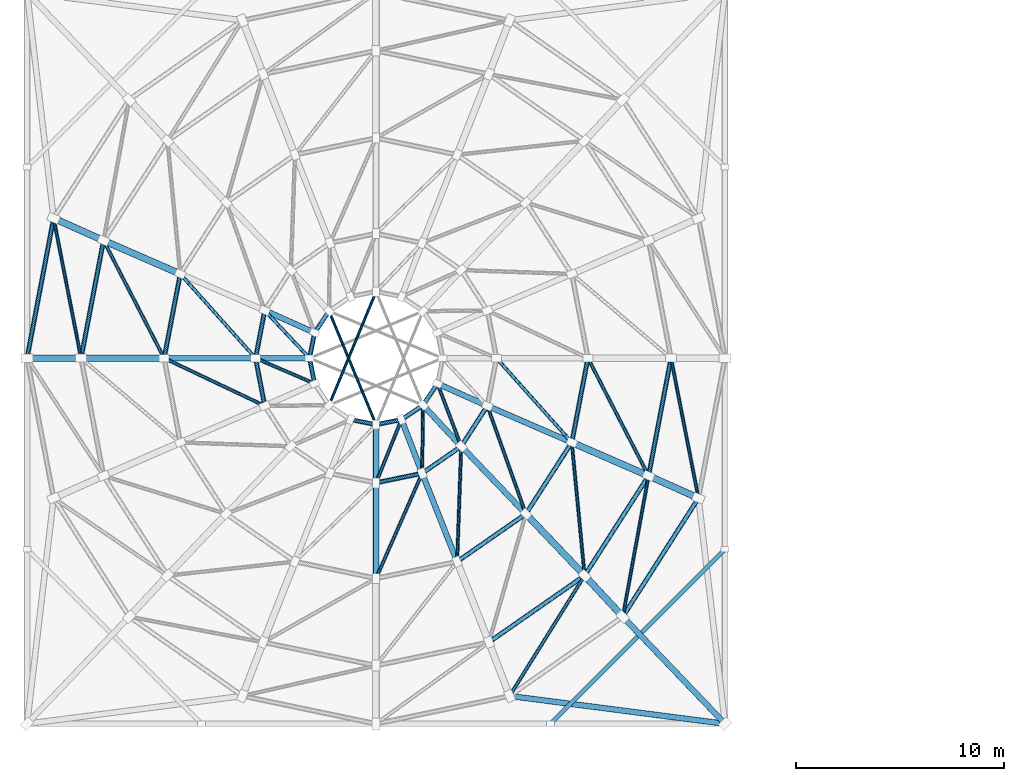
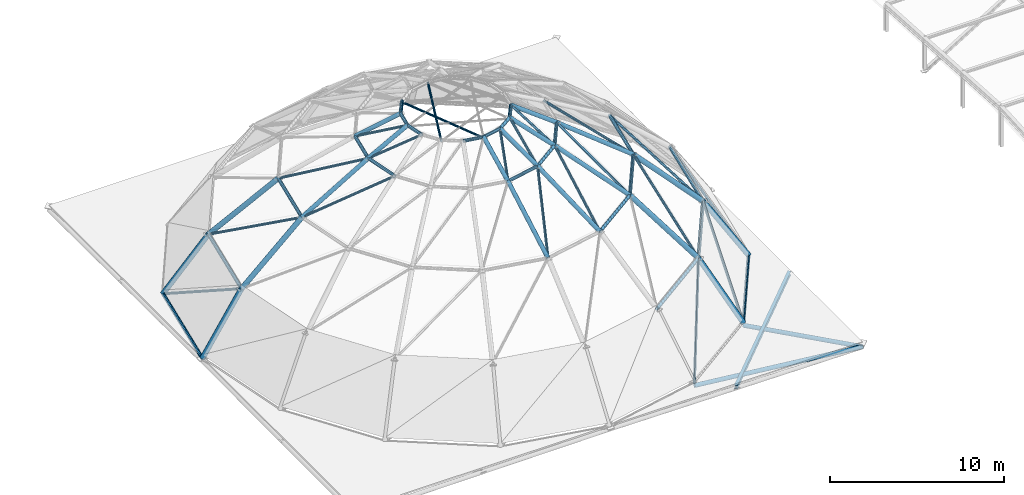
# One storey, part 3 of 49: 45 members, 19 beams.
"""IFC4 building model written with IfcOpenShell, lengths in metres."""

from ifc_helpers import new_model, si_unit, direction, frame, origin, origin_2d, place, context, subcontext, project, spatial, hollow_circle, i_section, extrude, material, material_profile, profile_set, type_object, element, save


model = new_model("IFC4")

# Units and contexts
model_context = context("Model", 3, precision=1e-05, world=origin(), true_north=direction((0.0, 1.0)))
body_context = subcontext(model_context, "Body", "Model", "MODEL_VIEW")
ifc_project = project(units=[si_unit("LENGTHUNIT", "METRE"), si_unit("AREAUNIT", "SQUARE_METRE"), si_unit("VOLUMEUNIT", "CUBIC_METRE"), si_unit("PLANEANGLEUNIT", "RADIAN"), si_unit("MASSUNIT", "GRAM", prefix="KILO")], contexts=[model_context])

# Site, building, storey
site_placement = place(None, origin())
site = spatial("IfcSite", under=ifc_project, at=site_placement, CompositionType="ELEMENT")
building_placement = place(site_placement, origin())
building = spatial("IfcBuilding", under=site, at=building_placement, Name="Kemercrest Conservatory and Botanical Centre", CompositionType="ELEMENT")
storey_placement = place(building_placement, frame((0.0, 0.0, 13.199951171875)))
storey = spatial("IfcBuildingStorey", under=building, at=storey_placement, Name="L03", CompositionType="ELEMENT", Elevation=13.199951171875)

# Member
ifc_material = material(Name="Steel CSA G40.21 350W", Category="steel")
ifc_material_profile_1 = material_profile(ifc_material, i_section(OverallWidth=0.202880859375, OverallDepth=0.251953125, WebThickness=0.008056640625, FlangeThickness=0.013427734375, FilletRadius=0.010986328125, at=origin_2d()), Name="W250X58")
ifc_profile_set_1 = profile_set([ifc_material_profile_1], Name="Steel CSA G40.21 350W")
member_type_1 = type_object("IfcMemberType", Name="BR-LAT250", PredefinedType="BRACE", material=ifc_profile_set_1)
member_1_placement = place(storey_placement, frame((33.199951171875, 16.800048828125, -0.14990234375), z_axis=(0.707117056885, 0.707096505339, 0.0), x_axis=(-0.707096505339, 0.707117056885, 0.0)))
element("IfcMember", 1, at=member_1_placement, inside=storey, type_object=member_type_1, Name="Roof diaphragm corner wind brace BR-LAT250", PredefinedType="BRACE", context=body_context, shape_type="SweptSolid", body=[
    extrude(i_section(OverallWidth=0.202880859375, OverallDepth=0.251953125, WebThickness=0.008056640625, FlangeThickness=0.013427734375, FilletRadius=0.010986328125, at=origin_2d()), origin(), (0.0, 0.0, 1.0), 11.87939453125),
])

# Beams
ifc_material_profile_2 = material_profile(ifc_material, hollow_circle(Radius=0.136474609375, WallThickness=0.0126953125, at=origin_2d()), Name="CHS 273.1x12.7")
ifc_profile_set_2 = profile_set([ifc_material_profile_2], Name="Steel CSA G40.21 350W")
beam_type_1 = type_object("IfcBeamType", Name="GR-RIB273", PredefinedType="BEAM", material=ifc_profile_set_2)
beam_1_placement = place(storey_placement, frame((14.60009765625, 34.39990234375, 7.60009765625), z_axis=(0.860934136409, 0.0, 0.508716436501), x_axis=(0.0, 1.0, 0.0)))
element("IfcBeam", 2, at=beam_1_placement, inside=storey, type_object=beam_type_1, Name="Conservatory dome arch rib R2-08", PredefinedType="BEAM", context=body_context, shape_type="SweptSolid", body=[
    extrude(hollow_circle(Radius=0.136474609375, WallThickness=0.0126953125, at=origin_2d()), origin(), (0.0, 0.0, 1.0), 5.110595703125),
])
beam_2_placement = place(storey_placement, frame((24.800048828125, 23.800048828125, 7.60009765625), z_axis=(0.0, 0.870568002098, 0.492048121349), x_axis=(-1.0, 0.0, 0.0)))
element("IfcBeam", 3, at=beam_2_placement, inside=storey, type_object=beam_type_1, Name="Conservatory dome arch rib R2-12", PredefinedType="BEAM", context=body_context, shape_type="SweptSolid", body=[
    extrude(hollow_circle(Radius=0.136474609375, WallThickness=0.0126953125, at=origin_2d()), origin(), (0.0, 0.0, 1.0), 5.28369140625),
])
beam_3_placement = place(storey_placement, frame((28.703369140625, 24.60693359375, 7.60009765625), z_axis=(-0.32019434461, 0.808122800729, 0.494381553683), x_axis=(-0.929683571061, -0.368359142277, 0.0)))
element("IfcBeam", 4, at=beam_3_placement, inside=storey, type_object=beam_type_1, Name="Conservatory dome arch rib R2-13", PredefinedType="BEAM", context=body_context, shape_type="SweptSolid", body=[
    extrude(hollow_circle(Radius=0.136474609375, WallThickness=0.0126953125, at=origin_2d()), origin(), (0.0, 0.0, 1.0), 5.2587890625),
])
beam_4_placement = place(storey_placement, frame((32.012451171875, 26.90478515625, 7.60009765625), z_axis=(-0.598558557553, 0.625752955295, 0.500160866242), x_axis=(-0.722634789358, -0.691230034945, 0.0)))
element("IfcBeam", 5, at=beam_4_placement, inside=storey, type_object=beam_type_1, Name="Conservatory dome arch rib R2-14", PredefinedType="BEAM", context=body_context, shape_type="SweptSolid", body=[
    extrude(hollow_circle(Radius=0.136474609375, WallThickness=0.0126953125, at=origin_2d()), origin(), (0.0, 0.0, 1.0), 5.197998046875),
])
beam_5_placement = place(storey_placement, frame((34.2236328125, 30.343505859375, 7.60009765625), z_axis=(-0.791420648814, 0.342738231854, 0.506146086675), x_axis=(-0.397401729937, -0.917644737926, 0.0)))
element("IfcBeam", 6, at=beam_5_placement, inside=storey, type_object=beam_type_1, Name="Conservatory dome arch rib R2-15", PredefinedType="BEAM", context=body_context, shape_type="SweptSolid", body=[
    extrude(hollow_circle(Radius=0.136474609375, WallThickness=0.0126953125, at=origin_2d()), origin(), (0.0, 0.0, 1.0), 5.136474609375),
])
beam_6_placement = place(storey_placement, frame((19.44140625, 36.696044921875, 10.199951171875), z_axis=(0.806151944247, -0.35960980621, 0.469893424155), x_axis=(0.407386850353, 0.913255689366, 0.0)))
element("IfcBeam", 7, at=beam_6_placement, inside=storey, type_object=beam_type_1, Name="Conservatory dome arch rib R3-07", PredefinedType="BEAM", context=body_context, shape_type="SweptSolid", body=[
    extrude(hollow_circle(Radius=0.136474609375, WallThickness=0.0126953125, at=origin_2d()), origin(), (0.0, 0.0, 1.0), 2.979736328125),
])
beam_7_placement = place(storey_placement, frame((19.0, 34.39990234375, 10.199951171875), z_axis=(0.880457826534, 0.0, 0.474124472786), x_axis=(0.0, 1.0, 0.0)))
element("IfcBeam", 8, at=beam_7_placement, inside=storey, type_object=beam_type_1, Name="Conservatory dome arch rib R3-08", PredefinedType="BEAM", context=body_context, shape_type="SweptSolid", body=[
    extrude(hollow_circle(Radius=0.136474609375, WallThickness=0.0126953125, at=origin_2d()), origin(), (0.0, 0.0, 1.0), 2.953125),
])
beam_8_placement = place(storey_placement, frame((24.800048828125, 28.39990234375, 10.199951171875), z_axis=(0.0, 0.894411593428, 0.447244789285), x_axis=(-1.0, 0.0, 0.0)))
element("IfcBeam", 9, at=beam_8_placement, inside=storey, type_object=beam_type_1, Name="Conservatory dome arch rib R3-12", PredefinedType="BEAM", context=body_context, shape_type="SweptSolid", body=[
    extrude(hollow_circle(Radius=0.136474609375, WallThickness=0.0126953125, at=origin_2d()), origin(), (0.0, 0.0, 1.0), 3.130615234375),
])
beam_9_placement = place(storey_placement, frame((27.01953125, 28.856689453125, 10.199951171875), z_axis=(-0.320388699377, 0.833089241374, 0.450902868939), x_axis=(-0.933356956997, -0.358949565852, 0.0)))
element("IfcBeam", 10, at=beam_9_placement, inside=storey, type_object=beam_type_1, Name="Conservatory dome arch rib R3-13", PredefinedType="BEAM", context=body_context, shape_type="SweptSolid", body=[
    extrude(hollow_circle(Radius=0.136474609375, WallThickness=0.0126953125, at=origin_2d()), origin(), (0.0, 0.0, 1.0), 3.105224609375),
])
beam_10_placement = place(storey_placement, frame((28.901123046875, 30.157470703125, 10.199951171875), z_axis=(-0.604148264762, 0.650602693089, 0.460131513733), x_axis=(-0.732783835929, -0.680461497663, 0.0)))
element("IfcBeam", 11, at=beam_10_placement, inside=storey, type_object=beam_type_1, Name="Conservatory dome arch rib R3-14", PredefinedType="BEAM", context=body_context, shape_type="SweptSolid", body=[
    extrude(hollow_circle(Radius=0.136474609375, WallThickness=0.0126953125, at=origin_2d()), origin(), (0.0, 0.0, 1.0), 3.04296875),
])
beam_11_placement = place(storey_placement, frame((30.158447265625, 32.10400390625, 10.199951171875), z_axis=(-0.806175695367, 0.359538464404, 0.469907268313), x_axis=(-0.40730943077, -0.913290220908, 0.0)))
element("IfcBeam", 12, at=beam_11_placement, inside=storey, type_object=beam_type_1, Name="Conservatory dome arch rib R3-15", PredefinedType="BEAM", context=body_context, shape_type="SweptSolid", body=[
    extrude(hollow_circle(Radius=0.136474609375, WallThickness=0.0126953125, at=origin_2d()), origin(), (0.0, 0.0, 1.0), 2.979736328125),
])
ifc_material_profile_3 = material_profile(ifc_material, hollow_circle(Radius=0.161865234375, WallThickness=0.0126953125, at=origin_2d()), Name="CHS 323.9x12.7")
ifc_profile_set_3 = profile_set([ifc_material_profile_3], Name="Steel CSA G40.21 350W")
beam_type_2 = type_object("IfcBeamType", Name="GR-RIB324", PredefinedType="BEAM", material=ifc_profile_set_3)
beam_12_placement = place(storey_placement, frame((9.27880859375, 41.13525390625, 0.02001953125), z_axis=(0.503522747608, -0.22461239346, 0.834274604279), x_axis=(0.407386850353, 0.913255689366, 0.0)))
element("IfcBeam", 13, at=beam_12_placement, inside=storey, type_object=beam_type_2, Name="Conservatory dome arch rib R0-07", PredefinedType="BEAM", context=body_context, shape_type="SweptSolid", body=[
    extrude(hollow_circle(Radius=0.161865234375, WallThickness=0.0126953125, at=origin_2d()), origin(), (0.0, 0.0, 1.0), 4.7705078125),
])
beam_13_placement = place(storey_placement, frame((8.0, 34.39990234375, 0.02001953125), z_axis=(0.546925549136, 0.0, 0.837181249015), x_axis=(0.0, 1.0, 0.0)))
element("IfcBeam", 14, at=beam_13_placement, inside=storey, type_object=beam_type_2, Name="Conservatory dome arch rib R0-08", PredefinedType="BEAM", context=body_context, shape_type="SweptSolid", body=[
    extrude(hollow_circle(Radius=0.161865234375, WallThickness=0.0126953125, at=origin_2d()), origin(), (0.0, 0.0, 1.0), 4.75390625),
])
beam_14_placement = place(storey_placement, frame((36.679443359375, 21.954833984375, 0.02001953125), z_axis=(-0.382208800215, 0.411593861339, 0.827349337551), x_axis=(-0.732780618974, -0.68046496196, 0.0)))
element("IfcBeam", 15, at=beam_14_placement, inside=storey, type_object=beam_type_2, Name="Conservatory dome arch rib R0-14", PredefinedType="BEAM", context=body_context, shape_type="SweptSolid", body=[
    extrude(hollow_circle(Radius=0.161865234375, WallThickness=0.0126953125, at=origin_2d()), origin(), (0.0, 0.0, 1.0), 4.810546875),
])
beam_15_placement = place(storey_placement, frame((40.3212890625, 27.664794921875, 0.02001953125), z_axis=(-0.503522747608, 0.22461239346, 0.834274604279), x_axis=(-0.407386850353, -0.913255689366, 0.0)))
element("IfcBeam", 16, at=beam_15_placement, inside=storey, type_object=beam_type_2, Name="Conservatory dome arch rib R0-15", PredefinedType="BEAM", context=body_context, shape_type="SweptSolid", body=[
    extrude(hollow_circle(Radius=0.161865234375, WallThickness=0.0126953125, at=origin_2d()), origin(), (0.0, 0.0, 1.0), 4.7705078125),
])
beam_16_placement = place(storey_placement, frame((11.680908203125, 40.063720703125, 4.0), z_axis=(0.683874151301, -0.297458374325, 0.666209171902), x_axis=(0.398863448921, 0.917010332065, 0.0)))
element("IfcBeam", 17, at=beam_16_placement, inside=storey, type_object=beam_type_2, Name="Conservatory dome arch rib R1-07", PredefinedType="BEAM", context=body_context, shape_type="SweptSolid", body=[
    extrude(hollow_circle(Radius=0.161865234375, WallThickness=0.0126953125, at=origin_2d()), origin(), (0.0, 0.0, 1.0), 5.40380859375),
])
beam_17_placement = place(storey_placement, frame((10.60009765625, 34.39990234375, 4.0), z_axis=(0.743285123004, 0.0, 0.668974757313), x_axis=(0.0, 1.0, 0.0)))
element("IfcBeam", 18, at=beam_17_placement, inside=storey, type_object=beam_type_2, Name="Conservatory dome arch rib R1-08", PredefinedType="BEAM", context=body_context, shape_type="SweptSolid", body=[
    extrude(hollow_circle(Radius=0.161865234375, WallThickness=0.0126953125, at=origin_2d()), origin(), (0.0, 0.0, 1.0), 5.381591796875),
])
beam_18_placement = place(storey_placement, frame((34.8408203125, 23.934814453125, 4.0), z_axis=(-0.518281509086, 0.544229137508, 0.659696083986), x_axis=(-0.724159165442, -0.689632875598, 0.0)))
element("IfcBeam", 19, at=beam_18_placement, inside=storey, type_object=beam_type_2, Name="Conservatory dome arch rib R1-14", PredefinedType="BEAM", context=body_context, shape_type="SweptSolid", body=[
    extrude(hollow_circle(Radius=0.161865234375, WallThickness=0.0126953125, at=origin_2d()), origin(), (0.0, 0.0, 1.0), 5.457275390625),
])
beam_19_placement = place(storey_placement, frame((37.919189453125, 28.736328125, 4.0), z_axis=(-0.68388334128, 0.297417192023, 0.666218124497), x_axis=(-0.398812504267, -0.917032489305, 0.0)))
element("IfcBeam", 20, at=beam_19_placement, inside=storey, type_object=beam_type_2, Name="Conservatory dome arch rib R1-15", PredefinedType="BEAM", context=body_context, shape_type="SweptSolid", body=[
    extrude(hollow_circle(Radius=0.161865234375, WallThickness=0.0126953125, at=origin_2d()), origin(), (0.0, 0.0, 1.0), 5.40380859375),
])

# Members
ifc_material_profile_4 = material_profile(ifc_material, hollow_circle(Radius=0.084228515625, WallThickness=0.009521484375, at=origin_2d()), Name="CHS 168.3x9.5")
ifc_profile_set_4 = profile_set([ifc_material_profile_4], Name="Steel CSA G40.21 350W")
member_type_2 = type_object("IfcMemberType", Name="MB-DIAG168", PredefinedType="BRACE", material=ifc_profile_set_4)
member_2_placement = place(storey_placement, frame((9.27880859375, 41.13525390625, 0.02001953125), z_axis=(0.166531536388, -0.848904661101, 0.501625481559), x_axis=(0.981296362489, 0.192503114172, 0.0)))
element("IfcMember", 21, at=member_2_placement, inside=storey, type_object=member_type_2, Name="Conservatory dome diagrid brace R0-07", PredefinedType="BRACE", context=body_context, shape_type="SweptSolid", body=[
    extrude(hollow_circle(Radius=0.084228515625, WallThickness=0.009521484375, at=origin_2d()), origin(), (0.0, 0.0, 1.0), 7.93408203125),
])
member_3_placement = place(storey_placement, frame((31.22900390625, 18.1396484375, 0.02001953125), z_axis=(0.45697449261, 0.733216407401, 0.503555372349), x_axis=(-0.848666489077, 0.528928341383, 0.0)))
element("IfcMember", 22, at=member_3_placement, inside=storey, type_object=member_type_2, Name="Conservatory dome diagrid brace R0-13", PredefinedType="BRACE", context=body_context, shape_type="SweptSolid", body=[
    extrude(hollow_circle(Radius=0.084228515625, WallThickness=0.009521484375, at=origin_2d()), origin(), (0.0, 0.0, 1.0), 7.90380859375),
])
member_4_placement = place(storey_placement, frame((36.679443359375, 21.954833984375, 0.02001953125), z_axis=(0.155741739549, 0.851917743097, 0.499980669185), x_axis=(-0.983697199823, 0.179832753022, 0.0)))
element("IfcMember", 23, at=member_4_placement, inside=storey, type_object=member_type_2, Name="Conservatory dome diagrid brace R0-14", PredefinedType="BRACE", context=body_context, shape_type="SweptSolid", body=[
    extrude(hollow_circle(Radius=0.084228515625, WallThickness=0.009521484375, at=origin_2d()), origin(), (0.0, 0.0, 1.0), 7.960205078125),
])
member_5_placement = place(storey_placement, frame((40.3212890625, 27.664794921875, 0.02001953125), z_axis=(-0.166535886528, 0.848896064608, 0.501638585031), x_axis=(-0.981295044298, -0.192509833608, 0.0)))
element("IfcMember", 24, at=member_5_placement, inside=storey, type_object=member_type_2, Name="Conservatory dome diagrid brace R0-15", PredefinedType="BRACE", context=body_context, shape_type="SweptSolid", body=[
    extrude(hollow_circle(Radius=0.084228515625, WallThickness=0.009521484375, at=origin_2d()), origin(), (0.0, 0.0, 1.0), 7.93408203125),
])
member_6_placement = place(storey_placement, frame((11.680908203125, 40.063720703125, 4.0), z_axis=(0.398875257104, -0.773898727904, 0.491913903258), x_axis=(0.888880945755, 0.458138258907, 0.0)))
element("IfcMember", 25, at=member_6_placement, inside=storey, type_object=member_type_2, Name="Conservatory dome diagrid brace R1-07", PredefinedType="BRACE", context=body_context, shape_type="SweptSolid", body=[
    extrude(hollow_circle(Radius=0.084228515625, WallThickness=0.009521484375, at=origin_2d()), origin(), (0.0, 0.0, 1.0), 7.318603515625),
])
member_7_placement = place(storey_placement, frame((34.8408203125, 23.934814453125, 4.0), z_axis=(-0.083669271834, 0.868796829761, 0.488048687682), x_axis=(-0.995394705992, -0.095861250162, 0.0)))
element("IfcMember", 26, at=member_7_placement, inside=storey, type_object=member_type_2, Name="Conservatory dome diagrid brace R1-14", PredefinedType="BRACE", context=body_context, shape_type="SweptSolid", body=[
    extrude(hollow_circle(Radius=0.084228515625, WallThickness=0.009521484375, at=origin_2d()), origin(), (0.0, 0.0, 1.0), 7.37646484375),
])
member_8_placement = place(storey_placement, frame((37.919189453125, 28.736328125, 4.0), z_axis=(-0.398885554883, 0.773885347676, 0.491926603019), x_axis=(-0.888872903281, -0.458153862597, 0.0)))
element("IfcMember", 27, at=member_8_placement, inside=storey, type_object=member_type_2, Name="Conservatory dome diagrid brace R1-15", PredefinedType="BRACE", context=body_context, shape_type="SweptSolid", body=[
    extrude(hollow_circle(Radius=0.084228515625, WallThickness=0.009521484375, at=origin_2d()), origin(), (0.0, 0.0, 1.0), 7.318359375),
])
member_9_placement = place(storey_placement, frame((15.37646484375, 38.456298828125, 7.60009765625), z_axis=(0.601060959946, -0.672862676829, 0.431255771625), x_axis=(0.745777561199, 0.666195038418, 0.0)))
element("IfcMember", 28, at=member_9_placement, inside=storey, type_object=member_type_2, Name="Conservatory dome diagrid brace R2-07", PredefinedType="BRACE", context=body_context, shape_type="SweptSolid", body=[
    extrude(hollow_circle(Radius=0.084228515625, WallThickness=0.009521484375, at=origin_2d()), origin(), (0.0, 0.0, 1.0), 6.028564453125),
])
member_10_placement = place(storey_placement, frame((14.60009765625, 34.39990234375, 7.60009765625), z_axis=(0.812906123408, -0.385505253885, 0.436542476459), x_axis=(0.428489786156, 0.903546624785, 0.0)))
element("IfcMember", 29, at=member_10_placement, inside=storey, type_object=member_type_2, Name="Conservatory dome diagrid brace R2-08", PredefinedType="BRACE", context=body_context, shape_type="SweptSolid", body=[
    extrude(hollow_circle(Radius=0.084228515625, WallThickness=0.009521484375, at=origin_2d()), origin(), (0.0, 0.0, 1.0), 5.95556640625),
])
member_11_placement = place(storey_placement, frame((24.800048828125, 23.800048828125, 7.60009765625), z_axis=(0.363629985477, 0.828457183941, 0.425948269205), x_axis=(-0.915677763285, 0.401913216784, 0.0)))
element("IfcMember", 30, at=member_11_placement, inside=storey, type_object=member_type_2, Name="Conservatory dome diagrid brace R2-12", PredefinedType="BRACE", context=body_context, shape_type="SweptSolid", body=[
    extrude(hollow_circle(Radius=0.084228515625, WallThickness=0.009521484375, at=origin_2d()), origin(), (0.0, 0.0, 1.0), 6.103759765625),
])
member_12_placement = place(storey_placement, frame((28.703369140625, 24.60693359375, 7.60009765625), z_axis=(0.032247187264, 0.90511086721, 0.423950984162), x_axis=(-0.999365930428, 0.03560529596, 0.0)))
element("IfcMember", 31, at=member_12_placement, inside=storey, type_object=member_type_2, Name="Conservatory dome diagrid brace R2-13", PredefinedType="BRACE", context=body_context, shape_type="SweptSolid", body=[
    extrude(hollow_circle(Radius=0.084228515625, WallThickness=0.009521484375, at=origin_2d()), origin(), (0.0, 0.0, 1.0), 6.13232421875),
])
member_13_placement = place(storey_placement, frame((32.012451171875, 26.90478515625, 7.60009765625), z_axis=(-0.303859766733, 0.852119777765, 0.42609990202), x_axis=(-0.941905907987, -0.335876853177, 0.0)))
element("IfcMember", 32, at=member_13_placement, inside=storey, type_object=member_type_2, Name="Conservatory dome diagrid brace R2-14", PredefinedType="BRACE", context=body_context, shape_type="SweptSolid", body=[
    extrude(hollow_circle(Radius=0.084228515625, WallThickness=0.009521484375, at=origin_2d()), origin(), (0.0, 0.0, 1.0), 6.1015625),
])
member_14_placement = place(storey_placement, frame((34.2236328125, 30.343505859375, 7.60009765625), z_axis=(-0.601060959946, 0.672862676829, 0.431255771625), x_axis=(-0.745777561199, -0.666195038418, 0.0)))
element("IfcMember", 33, at=member_14_placement, inside=storey, type_object=member_type_2, Name="Conservatory dome diagrid brace R2-15", PredefinedType="BRACE", context=body_context, shape_type="SweptSolid", body=[
    extrude(hollow_circle(Radius=0.084228515625, WallThickness=0.009521484375, at=origin_2d()), origin(), (0.0, 0.0, 1.0), 6.028564453125),
])
member_15_placement = place(storey_placement, frame((19.44140625, 36.696044921875, 10.199951171875), z_axis=(0.625967258635, -0.665824707923, 0.406007942577), x_axis=(0.728577409609, 0.68496347217, 0.0)))
element("IfcMember", 34, at=member_15_placement, inside=storey, type_object=member_type_2, Name="Conservatory dome diagrid brace R3-07", PredefinedType="BRACE", context=body_context, shape_type="SweptSolid", body=[
    extrude(hollow_circle(Radius=0.084228515625, WallThickness=0.009521484375, at=origin_2d()), origin(), (0.0, 0.0, 1.0), 3.448486328125),
])
member_16_placement = place(storey_placement, frame((19.0, 34.39990234375, 10.199951171875), z_axis=(0.836846494232, -0.360403710403, 0.412064449594), x_axis=(0.39554612401, 0.918446113705, 0.0)))
element("IfcMember", 35, at=member_16_placement, inside=storey, type_object=member_type_2, Name="Conservatory dome diagrid brace R3-08", PredefinedType="BRACE", context=body_context, shape_type="SweptSolid", body=[
    extrude(hollow_circle(Radius=0.084228515625, WallThickness=0.009521484375, at=origin_2d()), origin(), (0.0, 0.0, 1.0), 3.39794921875),
])
for number, where, z_axis, x_axis, name in (
    (36, (24.800048828125, 28.39990234375, 10.199951171875), (0.343306811044, 0.8532707363, 0.39251685832), (-0.927725524313, 0.373263113015, 0.0), "Conservatory dome diagrid brace R3-12"),
    (37, (27.01953125, 28.856689453125, 10.199951171875), (0.012114353447, 0.919664221881, 0.392518740231), (-0.999913252815, 0.013171440481, 0.0), "Conservatory dome diagrid brace R3-13"),
):
    element("IfcMember", number, at=place(storey_placement, frame(where, z_axis=z_axis, x_axis=x_axis)), inside=storey, type_object=member_type_2, Name=name, PredefinedType="BRACE", context=body_context, shape_type="SweptSolid", body=[
        extrude(hollow_circle(Radius=0.084228515625, WallThickness=0.009521484375, at=origin_2d()), origin(), (0.0, 0.0, 1.0), 3.567138671875),
    ])
member_17_placement = place(storey_placement, frame((28.901123046875, 30.157470703125, 10.199951171875), z_axis=(-0.32538087782, 0.85775923027, 0.397965309085), x_axis=(-0.934988876949, -0.354677036163, 0.0)))
element("IfcMember", 38, at=member_17_placement, inside=storey, type_object=member_type_2, Name="Conservatory dome diagrid brace R3-14", PredefinedType="BRACE", context=body_context, shape_type="SweptSolid", body=[
    extrude(hollow_circle(Radius=0.084228515625, WallThickness=0.009521484375, at=origin_2d()), origin(), (0.0, 0.0, 1.0), 3.518310546875),
])
ifc_material_profile_5 = material_profile(ifc_material, hollow_circle(Radius=0.06982421875, WallThickness=0.008056640625, at=origin_2d()), Name="CHS 139.7x8.0")
ifc_profile_set_5 = profile_set([ifc_material_profile_5], Name="Steel CSA G40.21 350W")
member_type_3 = type_object("IfcMemberType", Name="MB-LAN140", PredefinedType="BRACE", material=ifc_profile_set_5)
for number, where, z_axis, x_axis, name in (
    (39, (24.800048828125, 37.60009765625, 11.530029296875), (-0.382667831458, -0.923885994464, 0.0), (0.923885994464, -0.382667831458, 0.0), "Conservatory oculus lantern star chord 04"),
    (40, (22.537353515625, 36.66259765625, 11.530029296875), (0.382682429392, -0.923879947956, 0.0), (0.923879947956, 0.382682429392, 0.0), "Conservatory oculus lantern star chord 06"),
):
    element("IfcMember", number, at=place(storey_placement, frame(where, z_axis=z_axis, x_axis=x_axis)), inside=storey, type_object=member_type_3, Name=name, PredefinedType="BRACE", context=body_context, shape_type="SweptSolid", body=[
        extrude(hollow_circle(Radius=0.06982421875, WallThickness=0.008056640625, at=origin_2d()), origin(), (0.0, 0.0, 1.0), 5.912841796875),
    ])
ifc_material_profile_6 = material_profile(ifc_material, hollow_circle(Radius=0.136474609375, WallThickness=0.0126953125, at=origin_2d()), Name="CHS 273.1x12.7")
ifc_profile_set_6 = profile_set([ifc_material_profile_6], Name="Steel CSA G40.21 350W")
member_type_4 = type_object("IfcMemberType", Name="MB-PEND273", PredefinedType="BRACE", material=ifc_profile_set_6)
member_18_placement = place(storey_placement, frame((41.60009765625, 16.800048828125, -0.25), z_axis=(-0.991715507702, 0.128096586411, 0.009571642141), x_axis=(-0.128102454684, -0.991760939493, 0.0)))
element("IfcMember", 41, at=member_18_placement, inside=storey, type_object=member_type_4, Name="Conservatory pendentive fan brace SE-13", PredefinedType="BRACE", context=body_context, shape_type="SweptSolid", body=[
    extrude(hollow_circle(Radius=0.136474609375, WallThickness=0.0126953125, at=origin_2d()), origin(), (0.0, 0.0, 1.0), 10.457763671875),
])
member_19_placement = place(storey_placement, frame((41.60009765625, 16.800048828125, -0.25), z_axis=(-0.69042067868, 0.723271754386, 0.014044776892), x_axis=(-0.7233430997, -0.690488783483, 0.0)))
element("IfcMember", 42, at=member_19_placement, inside=storey, type_object=member_type_4, Name="Conservatory pendentive fan brace SE-14", PredefinedType="BRACE", context=body_context, shape_type="SweptSolid", body=[
    extrude(hollow_circle(Radius=0.136474609375, WallThickness=0.0126953125, at=origin_2d()), origin(), (0.0, 0.0, 1.0), 7.126953125),
])
ifc_material_profile_7 = material_profile(ifc_material, hollow_circle(Radius=0.109619140625, WallThickness=0.010009765625, at=origin_2d()), Name="CHS 219.1x10.0")
ifc_profile_set_7 = profile_set([ifc_material_profile_7], Name="Steel CSA G40.21 350W")
member_type_5 = type_object("IfcMemberType", Name="MB-RING219", PredefinedType="CHORD", material=ifc_profile_set_7)
member_20_placement = place(storey_placement, frame((9.27880859375, 41.13525390625, 0.02001953125), z_axis=(-0.186532785347, -0.982448736571, 0.0), x_axis=(0.982448736571, -0.186532785347, 0.0)))
element("IfcMember", 43, at=member_20_placement, inside=storey, type_object=member_type_5, Name="Conservatory dome latitude ring R0-07", PredefinedType="CHORD", context=body_context, shape_type="SweptSolid", body=[
    extrude(hollow_circle(Radius=0.109619140625, WallThickness=0.010009765625, at=origin_2d()), origin(), (0.0, 0.0, 1.0), 6.855712890625),
])
member_21_placement = place(storey_placement, frame((36.679443359375, 21.954833984375, 0.02001953125), z_axis=(0.537740594043, 0.843110344806, 0.0), x_axis=(-0.843110344806, 0.537740594043, 0.0)))
element("IfcMember", 44, at=member_21_placement, inside=storey, type_object=member_type_5, Name="Conservatory dome latitude ring R0-14", PredefinedType="CHORD", context=body_context, shape_type="SweptSolid", body=[
    extrude(hollow_circle(Radius=0.109619140625, WallThickness=0.010009765625, at=origin_2d()), origin(), (0.0, 0.0, 1.0), 6.7724609375),
])
member_22_placement = place(storey_placement, frame((11.680908203125, 40.063720703125, 4.0), z_axis=(-0.187444805042, -0.98227513715, 0.0), x_axis=(0.98227513715, -0.187444805042, 0.0)))
element("IfcMember", 45, at=member_22_placement, inside=storey, type_object=member_type_5, Name="Conservatory dome latitude ring R1-07", PredefinedType="CHORD", context=body_context, shape_type="SweptSolid", body=[
    extrude(hollow_circle(Radius=0.109619140625, WallThickness=0.010009765625, at=origin_2d()), origin(), (0.0, 0.0, 1.0), 5.76611328125),
])
member_23_placement = place(storey_placement, frame((30.234130859375, 20.7265625, 4.0), z_axis=(0.820604594636, 0.571496368547, 0.0), x_axis=(-0.571496368547, 0.820604594636, 0.0)))
element("IfcMember", 46, at=member_23_placement, inside=storey, type_object=member_type_5, Name="Conservatory dome latitude ring R1-13", PredefinedType="CHORD", context=body_context, shape_type="SweptSolid", body=[
    extrude(hollow_circle(Radius=0.109619140625, WallThickness=0.010009765625, at=origin_2d()), origin(), (0.0, 0.0, 1.0), 5.61376953125),
])
member_24_placement = place(storey_placement, frame((34.8408203125, 23.934814453125, 4.0), z_axis=(0.539725234225, 0.841841238917, 0.0), x_axis=(-0.841841238917, 0.539725234225, 0.0)))
element("IfcMember", 47, at=member_24_placement, inside=storey, type_object=member_type_5, Name="Conservatory dome latitude ring R1-14", PredefinedType="CHORD", context=body_context, shape_type="SweptSolid", body=[
    extrude(hollow_circle(Radius=0.109619140625, WallThickness=0.010009765625, at=origin_2d()), origin(), (0.0, 0.0, 1.0), 5.70361328125),
])
member_25_placement = place(storey_placement, frame((37.919189453125, 28.736328125, 4.0), z_axis=(0.187452601335, 0.982273649373, 0.0), x_axis=(-0.982273649373, 0.187452601335, 0.0)))
element("IfcMember", 48, at=member_25_placement, inside=storey, type_object=member_type_5, Name="Conservatory dome latitude ring R1-15", PredefinedType="CHORD", context=body_context, shape_type="SweptSolid", body=[
    extrude(hollow_circle(Radius=0.109619140625, WallThickness=0.010009765625, at=origin_2d()), origin(), (0.0, 0.0, 1.0), 5.765869140625),
])
member_26_placement = place(storey_placement, frame((15.37646484375, 38.456298828125, 7.60009765625), z_axis=(-0.187981276325, -0.982172611994, 0.0), x_axis=(0.982172611994, -0.187981276325, 0.0)))
element("IfcMember", 49, at=member_26_placement, inside=storey, type_object=member_type_5, Name="Conservatory dome latitude ring R2-07", PredefinedType="CHORD", context=body_context, shape_type="SweptSolid", body=[
    extrude(hollow_circle(Radius=0.109619140625, WallThickness=0.010009765625, at=origin_2d()), origin(), (0.0, 0.0, 1.0), 4.130126953125),
])
member_27_placement = place(storey_placement, frame((28.703369140625, 24.60693359375, 7.60009765625), z_axis=(0.821384161354, 0.570375367173, 0.0), x_axis=(-0.570375367173, 0.821384161354, 0.0)))
element("IfcMember", 50, at=member_27_placement, inside=storey, type_object=member_type_5, Name="Conservatory dome latitude ring R2-13", PredefinedType="CHORD", context=body_context, shape_type="SweptSolid", body=[
    extrude(hollow_circle(Radius=0.109619140625, WallThickness=0.010009765625, at=origin_2d()), origin(), (0.0, 0.0, 1.0), 4.028564453125),
])
member_28_placement = place(storey_placement, frame((32.012451171875, 26.90478515625, 7.60009765625), z_axis=(0.540857187776, 0.841114440745, 0.0), x_axis=(-0.841114440745, 0.540857187776, 0.0)))
element("IfcMember", 51, at=member_28_placement, inside=storey, type_object=member_type_5, Name="Conservatory dome latitude ring R2-14", PredefinedType="CHORD", context=body_context, shape_type="SweptSolid", body=[
    extrude(hollow_circle(Radius=0.109619140625, WallThickness=0.010009765625, at=origin_2d()), origin(), (0.0, 0.0, 1.0), 4.08837890625),
])
member_29_placement = place(storey_placement, frame((34.2236328125, 30.343505859375, 7.60009765625), z_axis=(0.187981276325, 0.982172611994, 0.0), x_axis=(-0.982172611994, 0.187981276325, 0.0)))
element("IfcMember", 52, at=member_29_placement, inside=storey, type_object=member_type_5, Name="Conservatory dome latitude ring R2-15", PredefinedType="CHORD", context=body_context, shape_type="SweptSolid", body=[
    extrude(hollow_circle(Radius=0.109619140625, WallThickness=0.010009765625, at=origin_2d()), origin(), (0.0, 0.0, 1.0), 4.130126953125),
])
member_30_placement = place(storey_placement, frame((19.44140625, 36.696044921875, 10.199951171875), z_axis=(-0.18878155693, -0.9820191056, 0.0), x_axis=(0.9820191056, -0.18878155693, 0.0)))
element("IfcMember", 53, at=member_30_placement, inside=storey, type_object=member_type_5, Name="Conservatory dome latitude ring R3-07", PredefinedType="CHORD", context=body_context, shape_type="SweptSolid", body=[
    extrude(hollow_circle(Radius=0.109619140625, WallThickness=0.010009765625, at=origin_2d()), origin(), (0.0, 0.0, 1.0), 2.338134765625),
])
member_31_placement = place(storey_placement, frame((19.0, 34.39990234375, 10.199951171875), z_axis=(0.188800915993, -0.982015383851, 0.0), x_axis=(0.982015383851, 0.188800915993, 0.0)))
element("IfcMember", 54, at=member_31_placement, inside=storey, type_object=member_type_5, Name="Conservatory dome latitude ring R3-08", PredefinedType="CHORD", context=body_context, shape_type="SweptSolid", body=[
    extrude(hollow_circle(Radius=0.109619140625, WallThickness=0.010009765625, at=origin_2d()), origin(), (0.0, 0.0, 1.0), 2.337890625),
])
member_32_placement = place(storey_placement, frame((24.800048828125, 28.39990234375, 10.199951171875), z_axis=(0.979471436002, 0.201583000414, 0.0), x_axis=(-0.201583000414, 0.979471436002, 0.0)))
element("IfcMember", 55, at=member_32_placement, inside=storey, type_object=member_type_5, Name="Conservatory dome latitude ring R3-12", PredefinedType="CHORD", context=body_context, shape_type="SweptSolid", body=[
    extrude(hollow_circle(Radius=0.109619140625, WallThickness=0.010009765625, at=origin_2d()), origin(), (0.0, 0.0, 1.0), 2.26611328125),
])
member_33_placement = place(storey_placement, frame((27.01953125, 28.856689453125, 10.199951171875), z_axis=(0.822572395755, 0.568660402826, 0.0), x_axis=(-0.568660402826, 0.822572395755, 0.0)))
element("IfcMember", 56, at=member_33_placement, inside=storey, type_object=member_type_5, Name="Conservatory dome latitude ring R3-13", PredefinedType="CHORD", context=body_context, shape_type="SweptSolid", body=[
    extrude(hollow_circle(Radius=0.109619140625, WallThickness=0.010009765625, at=origin_2d()), origin(), (0.0, 0.0, 1.0), 2.287353515625),
])
member_34_placement = place(storey_placement, frame((28.901123046875, 30.157470703125, 10.199951171875), z_axis=(0.542582738644, 0.840002364119, 0.0), x_axis=(-0.840002364119, 0.542582738644, 0.0)))
element("IfcMember", 57, at=member_34_placement, inside=storey, type_object=member_type_5, Name="Conservatory dome latitude ring R3-14", PredefinedType="CHORD", context=body_context, shape_type="SweptSolid", body=[
    extrude(hollow_circle(Radius=0.109619140625, WallThickness=0.010009765625, at=origin_2d()), origin(), (0.0, 0.0, 1.0), 2.3173828125),
])
for number, where, z_axis, x_axis, name in (
    (58, (22.537353515625, 36.66259765625, 11.60009765625), (-0.555692485475, -0.831387912822, 0.0), (0.831387912822, -0.555692485475, 0.0), "Conservatory dome latitude ring R4-06"),
    (59, (21.843505859375, 35.62451171875, 11.60009765625), (-0.194950295773, -0.980813122964, 0.0), (0.980813122964, -0.194950295773, 0.0), "Conservatory dome latitude ring R4-07"),
    (60, (21.60009765625, 34.39990234375, 11.60009765625), (0.194950295773, -0.980813122964, 0.0), (0.980813122964, 0.194950295773, 0.0), "Conservatory dome latitude ring R4-08"),
    (61, (23.575439453125, 31.443603515625, 11.60009765625), (0.980775717779, -0.195138390419, 0.0), (0.195138390419, 0.980775717779, 0.0), "Conservatory dome latitude ring R4-11"),
    (62, (24.800048828125, 31.199951171875, 11.60009765625), (0.980775717779, 0.195138390419, 0.0), (-0.195138390419, 0.980775717779, 0.0), "Conservatory dome latitude ring R4-12"),
    (63, (26.024658203125, 31.443603515625, 11.60009765625), (0.831478245117, 0.555557312883, 0.0), (-0.555557312883, 0.831478245117, 0.0), "Conservatory dome latitude ring R4-13"),
    (64, (27.062744140625, 32.13720703125, 11.60009765625), (0.555557312883, 0.831478245117, 0.0), (-0.831478245117, 0.555557312883, 0.0), "Conservatory dome latitude ring R4-14"),
):
    element("IfcMember", number, at=place(storey_placement, frame(where, z_axis=z_axis, x_axis=x_axis)), inside=storey, type_object=member_type_5, Name=name, PredefinedType="CHORD", context=body_context, shape_type="SweptSolid", body=[
        extrude(hollow_circle(Radius=0.109619140625, WallThickness=0.010009765625, at=origin_2d()), origin(), (0.0, 0.0, 1.0), 1.24853515625),
    ])

save(model, "model.ifc")
